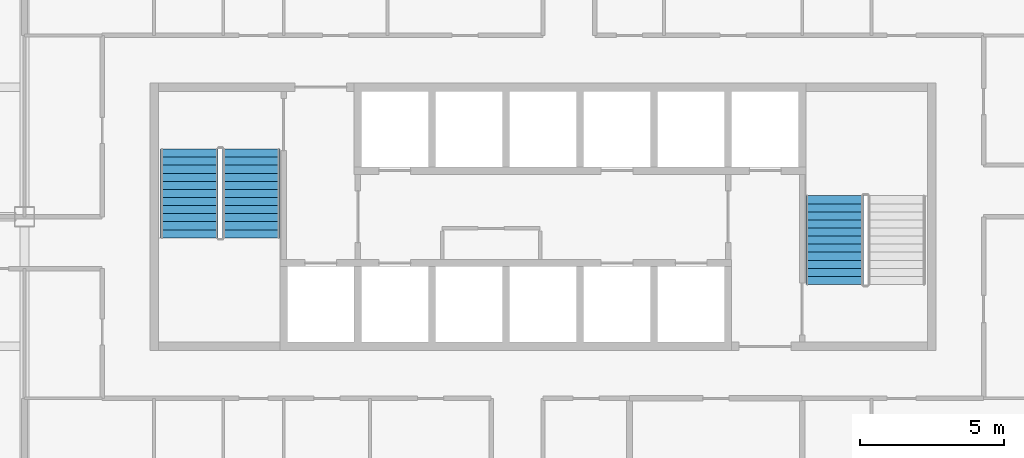
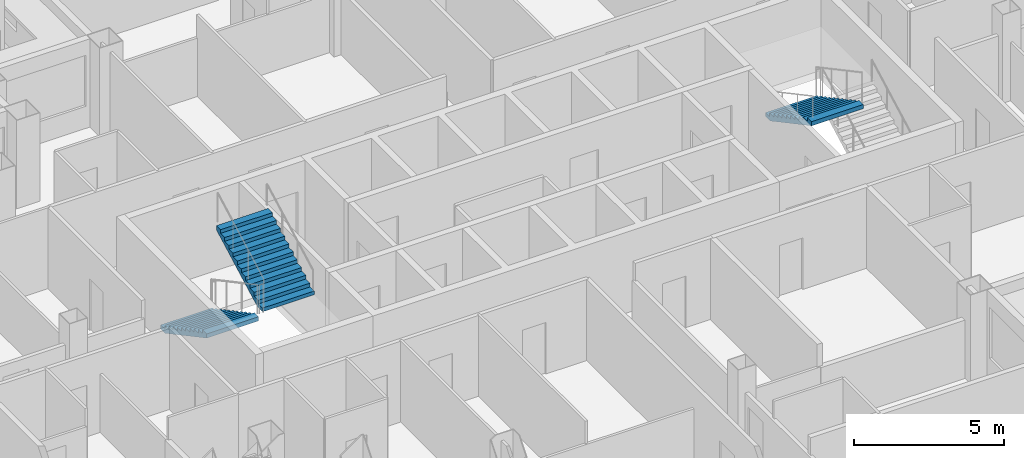
# One storey, part 11 of 21: 3 stair flights, 2 elements without a shape of their own.
"""IFC4 building model written with IfcOpenShell, lengths in metres."""

from ifc_helpers import new_model, si_unit, direction, frame, origin, place, context, subcontext, project, spatial, polygons, material, type_object, element, aggregate, save


model = new_model("IFC4")

# Units and contexts
model_context = context("Model", 3, precision=1e-05, world=origin(), true_north=direction((0.0, 1.0)))
body_context = subcontext(model_context, "Body", "Model", "MODEL_VIEW")
ifc_project = project(units=[si_unit("LENGTHUNIT", "METRE"), si_unit("AREAUNIT", "SQUARE_METRE"), si_unit("VOLUMEUNIT", "CUBIC_METRE"), si_unit("PLANEANGLEUNIT", "RADIAN"), si_unit("MASSUNIT", "GRAM", prefix="KILO")], contexts=[model_context])

# Site, building, storey
site_placement = place(None, origin())
site = spatial("IfcSite", under=ifc_project, at=site_placement, CompositionType="ELEMENT")
building_placement = place(site_placement, origin())
building = spatial("IfcBuilding", under=site, at=building_placement, Name="Caravel Reach Hotel and Residences", CompositionType="ELEMENT")
storey_placement = place(building_placement, frame((0.0, 0.0, 100.800048828125)))
storey = spatial("IfcBuildingStorey", under=building, at=storey_placement, Name="L24", CompositionType="ELEMENT", Elevation=100.800048828125)

# Stair, stair flights
ifc_material_1 = material(Name="Concrete C40", Category="concrete")
stair_type = type_object("IfcStairType", Name="Core stair", PredefinedType="HALF_TURN_STAIR", material=ifc_material_1)
stair_1_placement = place(storey_placement, origin())
stair_1 = element("IfcStair", 1, at=stair_1_placement, inside=storey, type_object=stair_type, Name="L24 Exit stair A", PredefinedType="HALF_TURN_STAIR")
ifc_material_2 = material(Name="Concrete C40", Category="concrete")
stair_flight_type = type_object("IfcStairFlightType", Name="Core stair flight", PredefinedType="STRAIGHT", material=ifc_material_2)
stair_flight_1_placement = place(storey_placement, frame((19.22509765625, 29.35009765625, 0.0), z_axis=(0.0, 0.0, 1.0), x_axis=(0.0, -1.0, 0.0)))
stair_flight_1 = element("IfcStairFlight", 2, at=stair_flight_1_placement, type_object=stair_flight_type, Name="ST-A flight 1", NumberOfRisers=12, NumberOfTreads=11, PredefinedType="STRAIGHT", RiserHeight=0.15, TreadLength=0.28, context=body_context, shape_type="Tessellation", body=[
    polygons([(0.3174408016601862, 1.0, 0.0), (0.3174408016601862, 0.6666666666666667, 0.0), (0.3174408016601862, 0.33333333333333337, 0.0), (0.3174408016601862, 0.0, 0.0), (0.3174408016601862, -0.33333333333333326, 0.0), (0.3174408016601862, -0.6666666666666667, 0.0), (0.3174408016601862, -1.0, 0.0), (3.081, 1.0, 1.479942427682043), (3.081, 0.6666666666666667, 1.479942427682043), (3.081, 0.33333333333333337, 1.479942427682043), (3.081, 0.0, 1.479942427682043), (3.081, -0.33333333333333326, 1.479942427682043), (3.081, -0.6666666666666667, 1.479942427682043), (3.081, -1.0, 1.479942427682043), (3.081, 1.0, 1.65), (3.081, 0.6666666666666667, 1.65), (3.081, 0.33333333333333337, 1.65), (3.081, 0.0, 1.65), (3.081, -0.33333333333333326, 1.65), (3.081, -0.6666666666666667, 1.65), (3.081, -1.0, 1.65), (2.8000000000000003, 1.0, 1.65), (2.8000000000000003, 0.6666666666666667, 1.65), (2.8000000000000003, 0.33333333333333337, 1.65), (2.8000000000000003, 0.0, 1.65), (2.8000000000000003, -0.33333333333333326, 1.65), (2.8000000000000003, -0.6666666666666667, 1.65), (2.8000000000000003, -1.0, 1.65), (2.8000000000000003, 1.0, 1.5), (2.8000000000000003, 0.6666666666666667, 1.5), (2.8000000000000003, 0.33333333333333337, 1.5), (2.8000000000000003, 0.0, 1.5), (2.8000000000000003, -0.33333333333333326, 1.5), (2.8000000000000003, -0.6666666666666667, 1.5), (2.8000000000000003, -1.0, 1.5), (2.5200000000000005, 1.0, 1.5), (2.5200000000000005, 0.6666666666666667, 1.5), (2.5200000000000005, 0.33333333333333337, 1.5), (2.5200000000000005, 0.0, 1.5), (2.5200000000000005, -0.33333333333333326, 1.5), (2.5200000000000005, -0.6666666666666667, 1.5), (2.5200000000000005, -1.0, 1.5), (2.5200000000000005, 1.0, 1.3499999999999999), (2.5200000000000005, 0.6666666666666667, 1.3499999999999999), (2.5200000000000005, 0.33333333333333337, 1.3499999999999999), (2.5200000000000005, 0.0, 1.3499999999999999), (2.5200000000000005, -0.33333333333333326, 1.3499999999999999), (2.5200000000000005, -0.6666666666666667, 1.3499999999999999), (2.5200000000000005, -1.0, 1.3499999999999999), (2.24, 1.0, 1.3499999999999999), (2.24, 0.6666666666666667, 1.3499999999999999), (2.24, 0.33333333333333337, 1.3499999999999999), (2.24, 0.0, 1.3499999999999999), (2.24, -0.33333333333333326, 1.3499999999999999), (2.24, -0.6666666666666667, 1.3499999999999999), (2.24, -1.0, 1.3499999999999999), (2.24, 1.0, 1.2), (2.24, 0.6666666666666667, 1.2), (2.24, 0.33333333333333337, 1.2), (2.24, 0.0, 1.2), (2.24, -0.33333333333333326, 1.2), (2.24, -0.6666666666666667, 1.2), (2.24, -1.0, 1.2), (1.9600000000000002, 1.0, 1.2), (1.9600000000000002, 0.6666666666666667, 1.2), (1.9600000000000002, 0.33333333333333337, 1.2), (1.9600000000000002, 0.0, 1.2), (1.9600000000000002, -0.33333333333333326, 1.2), (1.9600000000000002, -0.6666666666666667, 1.2), (1.9600000000000002, -1.0, 1.2), (1.9600000000000002, 1.0, 1.05), (1.9600000000000002, 0.6666666666666667, 1.05), (1.9600000000000002, 0.33333333333333337, 1.05), (1.9600000000000002, 0.0, 1.05), (1.9600000000000002, -0.33333333333333326, 1.05), (1.9600000000000002, -0.6666666666666667, 1.05), (1.9600000000000002, -1.0, 1.05), (1.6800000000000002, 1.0, 1.05), (1.6800000000000002, 0.6666666666666667, 1.05), (1.6800000000000002, 0.33333333333333337, 1.05), (1.6800000000000002, 0.0, 1.05), (1.6800000000000002, -0.33333333333333326, 1.05), (1.6800000000000002, -0.6666666666666667, 1.05), (1.6800000000000002, -1.0, 1.05), (1.6800000000000002, 1.0, 0.8999999999999999), (1.6800000000000002, 0.6666666666666667, 0.8999999999999999), (1.6800000000000002, 0.33333333333333337, 0.8999999999999999), (1.6800000000000002, 0.0, 0.8999999999999999), (1.6800000000000002, -0.33333333333333326, 0.8999999999999999), (1.6800000000000002, -0.6666666666666667, 0.8999999999999999), (1.6800000000000002, -1.0, 0.8999999999999999), (1.4000000000000001, 1.0, 0.8999999999999999), (1.4000000000000001, 0.6666666666666667, 0.8999999999999999), (1.4000000000000001, 0.33333333333333337, 0.8999999999999999), (1.4000000000000001, 0.0, 0.8999999999999999), (1.4000000000000001, -0.33333333333333326, 0.8999999999999999), (1.4000000000000001, -0.6666666666666667, 0.8999999999999999), (1.4000000000000001, -1.0, 0.8999999999999999), (1.4000000000000001, 1.0, 0.75), (1.4000000000000001, 0.6666666666666667, 0.75), (1.4000000000000001, 0.33333333333333337, 0.75), (1.4000000000000001, 0.0, 0.75), (1.4000000000000001, -0.33333333333333326, 0.75), (1.4000000000000001, -0.6666666666666667, 0.75), (1.4000000000000001, -1.0, 0.75), (1.12, 1.0, 0.75), (1.12, 0.6666666666666667, 0.75), (1.12, 0.33333333333333337, 0.75), (1.12, 0.0, 0.75), (1.12, -0.33333333333333326, 0.75), (1.12, -0.6666666666666667, 0.75), (1.12, -1.0, 0.75), (1.12, 1.0, 0.6), (1.12, 0.6666666666666667, 0.6), (1.12, 0.33333333333333337, 0.6), (1.12, 0.0, 0.6), (1.12, -0.33333333333333326, 0.6), (1.12, -0.6666666666666667, 0.6), (1.12, -1.0, 0.6), (0.8400000000000001, 1.0, 0.6), (0.8400000000000001, 0.6666666666666667, 0.6), (0.8400000000000001, 0.33333333333333337, 0.6), (0.8400000000000001, 0.0, 0.6), (0.8400000000000001, -0.33333333333333326, 0.6), (0.8400000000000001, -0.6666666666666667, 0.6), (0.8400000000000001, -1.0, 0.6), (0.8400000000000001, 1.0, 0.44999999999999996), (0.8400000000000001, 0.6666666666666667, 0.44999999999999996), (0.8400000000000001, 0.33333333333333337, 0.44999999999999996), (0.8400000000000001, 0.0, 0.44999999999999996), (0.8400000000000001, -0.33333333333333326, 0.44999999999999996), (0.8400000000000001, -0.6666666666666667, 0.44999999999999996), (0.8400000000000001, -1.0, 0.44999999999999996), (0.56, 1.0, 0.44999999999999996), (0.56, 0.6666666666666667, 0.44999999999999996), (0.56, 0.33333333333333337, 0.44999999999999996), (0.56, 0.0, 0.44999999999999996), (0.56, -0.33333333333333326, 0.44999999999999996), (0.56, -0.6666666666666667, 0.44999999999999996), (0.56, -1.0, 0.44999999999999996), (0.56, 1.0, 0.3), (0.56, 0.6666666666666667, 0.3), (0.56, 0.33333333333333337, 0.3), (0.56, 0.0, 0.3), (0.56, -0.33333333333333326, 0.3), (0.56, -0.6666666666666667, 0.3), (0.56, -1.0, 0.3), (0.28, 1.0, 0.3), (0.28, 0.6666666666666667, 0.3), (0.28, 0.33333333333333337, 0.3), (0.28, 0.0, 0.3), (0.28, -0.33333333333333326, 0.3), (0.28, -0.6666666666666667, 0.3), (0.28, -1.0, 0.3), (0.28, 1.0, 0.15), (0.28, 0.6666666666666667, 0.15), (0.28, 0.33333333333333337, 0.15), (0.28, 0.0, 0.15), (0.28, -0.33333333333333326, 0.15), (0.28, -0.6666666666666667, 0.15), (0.28, -1.0, 0.15), (-0.001, 1.0, 0.15), (-0.001, 0.6666666666666667, 0.15), (-0.001, 0.33333333333333337, 0.15), (-0.001, 0.0, 0.15), (-0.001, -0.33333333333333326, 0.15), (-0.001, -0.6666666666666667, 0.15), (-0.001, -1.0, 0.15), (-0.001, 1.0, 0.0), (-0.001, 0.6666666666666667, 0.0), (-0.001, 0.33333333333333337, 0.0), (-0.001, 0.0, 0.0), (-0.001, -0.33333333333333326, 0.0), (-0.001, -0.6666666666666667, 0.0), (-0.001, -1.0, 0.0)], [[[169, 162, 155, 148, 141, 134, 127, 120, 113, 106, 99, 92, 85, 78, 71, 64, 57, 50, 43, 36, 29, 22, 15, 8, 1]], [[7, 14, 21, 28, 35, 42, 49, 56, 63, 70, 77, 84, 91, 98, 105, 112, 119, 126, 133, 140, 147, 154, 161, 168, 175]], [[1, 8, 9, 2]], [[2, 9, 10, 3]], [[3, 10, 11, 4]], [[4, 11, 12, 5]], [[5, 12, 13, 6]], [[6, 13, 14, 7]], [[8, 15, 16, 9]], [[9, 16, 17, 10]], [[10, 17, 18, 11]], [[11, 18, 19, 12]], [[12, 19, 20, 13]], [[13, 20, 21, 14]], [[15, 22, 23, 16]], [[16, 23, 24, 17]], [[17, 24, 25, 18]], [[18, 25, 26, 19]], [[19, 26, 27, 20]], [[20, 27, 28, 21]], [[22, 29, 30, 23]], [[23, 30, 31, 24]], [[24, 31, 32, 25]], [[25, 32, 33, 26]], [[26, 33, 34, 27]], [[27, 34, 35, 28]], [[29, 36, 37, 30]], [[30, 37, 38, 31]], [[31, 38, 39, 32]], [[32, 39, 40, 33]], [[33, 40, 41, 34]], [[34, 41, 42, 35]], [[36, 43, 44, 37]], [[37, 44, 45, 38]], [[38, 45, 46, 39]], [[39, 46, 47, 40]], [[40, 47, 48, 41]], [[41, 48, 49, 42]], [[43, 50, 51, 44]], [[44, 51, 52, 45]], [[45, 52, 53, 46]], [[46, 53, 54, 47]], [[47, 54, 55, 48]], [[48, 55, 56, 49]], [[50, 57, 58, 51]], [[51, 58, 59, 52]], [[52, 59, 60, 53]], [[53, 60, 61, 54]], [[54, 61, 62, 55]], [[55, 62, 63, 56]], [[57, 64, 65, 58]], [[58, 65, 66, 59]], [[59, 66, 67, 60]], [[60, 67, 68, 61]], [[61, 68, 69, 62]], [[62, 69, 70, 63]], [[64, 71, 72, 65]], [[65, 72, 73, 66]], [[66, 73, 74, 67]], [[67, 74, 75, 68]], [[68, 75, 76, 69]], [[69, 76, 77, 70]], [[71, 78, 79, 72]], [[72, 79, 80, 73]], [[73, 80, 81, 74]], [[74, 81, 82, 75]], [[75, 82, 83, 76]], [[76, 83, 84, 77]], [[78, 85, 86, 79]], [[79, 86, 87, 80]], [[80, 87, 88, 81]], [[81, 88, 89, 82]], [[82, 89, 90, 83]], [[83, 90, 91, 84]], [[85, 92, 93, 86]], [[86, 93, 94, 87]], [[87, 94, 95, 88]], [[88, 95, 96, 89]], [[89, 96, 97, 90]], [[90, 97, 98, 91]], [[92, 99, 100, 93]], [[93, 100, 101, 94]], [[94, 101, 102, 95]], [[95, 102, 103, 96]], [[96, 103, 104, 97]], [[97, 104, 105, 98]], [[99, 106, 107, 100]], [[100, 107, 108, 101]], [[101, 108, 109, 102]], [[102, 109, 110, 103]], [[103, 110, 111, 104]], [[104, 111, 112, 105]], [[106, 113, 114, 107]], [[107, 114, 115, 108]], [[108, 115, 116, 109]], [[109, 116, 117, 110]], [[110, 117, 118, 111]], [[111, 118, 119, 112]], [[113, 120, 121, 114]], [[114, 121, 122, 115]], [[115, 122, 123, 116]], [[116, 123, 124, 117]], [[117, 124, 125, 118]], [[118, 125, 126, 119]], [[120, 127, 128, 121]], [[121, 128, 129, 122]], [[122, 129, 130, 123]], [[123, 130, 131, 124]], [[124, 131, 132, 125]], [[125, 132, 133, 126]], [[127, 134, 135, 128]], [[128, 135, 136, 129]], [[129, 136, 137, 130]], [[130, 137, 138, 131]], [[131, 138, 139, 132]], [[132, 139, 140, 133]], [[134, 141, 142, 135]], [[135, 142, 143, 136]], [[136, 143, 144, 137]], [[137, 144, 145, 138]], [[138, 145, 146, 139]], [[139, 146, 147, 140]], [[141, 148, 149, 142]], [[142, 149, 150, 143]], [[143, 150, 151, 144]], [[144, 151, 152, 145]], [[145, 152, 153, 146]], [[146, 153, 154, 147]], [[148, 155, 156, 149]], [[149, 156, 157, 150]], [[150, 157, 158, 151]], [[151, 158, 159, 152]], [[152, 159, 160, 153]], [[153, 160, 161, 154]], [[155, 162, 163, 156]], [[156, 163, 164, 157]], [[157, 164, 165, 158]], [[158, 165, 166, 159]], [[159, 166, 167, 160]], [[160, 167, 168, 161]], [[162, 169, 170, 163]], [[163, 170, 171, 164]], [[164, 171, 172, 165]], [[165, 172, 173, 166]], [[166, 173, 174, 167]], [[167, 174, 175, 168]], [[169, 1, 2, 170]], [[170, 2, 3, 171]], [[171, 3, 4, 172]], [[172, 4, 5, 173]], [[173, 5, 6, 174]], [[174, 6, 7, 175]]], closed=True),
])
stair_flight_2_placement = place(storey_placement, frame((21.375, 26.27001953125, 1.800048828125), z_axis=(0.0, 0.0, 1.0), x_axis=(0.0, 1.0, 0.0)))
stair_flight_2 = element("IfcStairFlight", 3, at=stair_flight_2_placement, type_object=stair_flight_type, Name="ST-A flight 2", NumberOfRisers=12, NumberOfTreads=11, PredefinedType="STRAIGHT", RiserHeight=0.15, TreadLength=0.28, context=body_context, shape_type="Tessellation", body=[
    polygons([(0.3174408016601862, 1.0, 0.0), (0.3174408016601862, 0.6666666666666667, 0.0), (0.3174408016601862, 0.33333333333333337, 0.0), (0.3174408016601862, 0.0, 0.0), (0.3174408016601862, -0.33333333333333326, 0.0), (0.3174408016601862, -0.6666666666666667, 0.0), (0.3174408016601862, -1.0, 0.0), (3.081, 1.0, 1.479942427682043), (3.081, 0.6666666666666667, 1.479942427682043), (3.081, 0.33333333333333337, 1.479942427682043), (3.081, 0.0, 1.479942427682043), (3.081, -0.33333333333333326, 1.479942427682043), (3.081, -0.6666666666666667, 1.479942427682043), (3.081, -1.0, 1.479942427682043), (3.081, 1.0, 1.65), (3.081, 0.6666666666666667, 1.65), (3.081, 0.33333333333333337, 1.65), (3.081, 0.0, 1.65), (3.081, -0.33333333333333326, 1.65), (3.081, -0.6666666666666667, 1.65), (3.081, -1.0, 1.65), (2.8000000000000003, 1.0, 1.65), (2.8000000000000003, 0.6666666666666667, 1.65), (2.8000000000000003, 0.33333333333333337, 1.65), (2.8000000000000003, 0.0, 1.65), (2.8000000000000003, -0.33333333333333326, 1.65), (2.8000000000000003, -0.6666666666666667, 1.65), (2.8000000000000003, -1.0, 1.65), (2.8000000000000003, 1.0, 1.5), (2.8000000000000003, 0.6666666666666667, 1.5), (2.8000000000000003, 0.33333333333333337, 1.5), (2.8000000000000003, 0.0, 1.5), (2.8000000000000003, -0.33333333333333326, 1.5), (2.8000000000000003, -0.6666666666666667, 1.5), (2.8000000000000003, -1.0, 1.5), (2.5200000000000005, 1.0, 1.5), (2.5200000000000005, 0.6666666666666667, 1.5), (2.5200000000000005, 0.33333333333333337, 1.5), (2.5200000000000005, 0.0, 1.5), (2.5200000000000005, -0.33333333333333326, 1.5), (2.5200000000000005, -0.6666666666666667, 1.5), (2.5200000000000005, -1.0, 1.5), (2.5200000000000005, 1.0, 1.3499999999999999), (2.5200000000000005, 0.6666666666666667, 1.3499999999999999), (2.5200000000000005, 0.33333333333333337, 1.3499999999999999), (2.5200000000000005, 0.0, 1.3499999999999999), (2.5200000000000005, -0.33333333333333326, 1.3499999999999999), (2.5200000000000005, -0.6666666666666667, 1.3499999999999999), (2.5200000000000005, -1.0, 1.3499999999999999), (2.24, 1.0, 1.3499999999999999), (2.24, 0.6666666666666667, 1.3499999999999999), (2.24, 0.33333333333333337, 1.3499999999999999), (2.24, 0.0, 1.3499999999999999), (2.24, -0.33333333333333326, 1.3499999999999999), (2.24, -0.6666666666666667, 1.3499999999999999), (2.24, -1.0, 1.3499999999999999), (2.24, 1.0, 1.2), (2.24, 0.6666666666666667, 1.2), (2.24, 0.33333333333333337, 1.2), (2.24, 0.0, 1.2), (2.24, -0.33333333333333326, 1.2), (2.24, -0.6666666666666667, 1.2), (2.24, -1.0, 1.2), (1.9600000000000002, 1.0, 1.2), (1.9600000000000002, 0.6666666666666667, 1.2), (1.9600000000000002, 0.33333333333333337, 1.2), (1.9600000000000002, 0.0, 1.2), (1.9600000000000002, -0.33333333333333326, 1.2), (1.9600000000000002, -0.6666666666666667, 1.2), (1.9600000000000002, -1.0, 1.2), (1.9600000000000002, 1.0, 1.05), (1.9600000000000002, 0.6666666666666667, 1.05), (1.9600000000000002, 0.33333333333333337, 1.05), (1.9600000000000002, 0.0, 1.05), (1.9600000000000002, -0.33333333333333326, 1.05), (1.9600000000000002, -0.6666666666666667, 1.05), (1.9600000000000002, -1.0, 1.05), (1.6800000000000002, 1.0, 1.05), (1.6800000000000002, 0.6666666666666667, 1.05), (1.6800000000000002, 0.33333333333333337, 1.05), (1.6800000000000002, 0.0, 1.05), (1.6800000000000002, -0.33333333333333326, 1.05), (1.6800000000000002, -0.6666666666666667, 1.05), (1.6800000000000002, -1.0, 1.05), (1.6800000000000002, 1.0, 0.8999999999999999), (1.6800000000000002, 0.6666666666666667, 0.8999999999999999), (1.6800000000000002, 0.33333333333333337, 0.8999999999999999), (1.6800000000000002, 0.0, 0.8999999999999999), (1.6800000000000002, -0.33333333333333326, 0.8999999999999999), (1.6800000000000002, -0.6666666666666667, 0.8999999999999999), (1.6800000000000002, -1.0, 0.8999999999999999), (1.4000000000000001, 1.0, 0.8999999999999999), (1.4000000000000001, 0.6666666666666667, 0.8999999999999999), (1.4000000000000001, 0.33333333333333337, 0.8999999999999999), (1.4000000000000001, 0.0, 0.8999999999999999), (1.4000000000000001, -0.33333333333333326, 0.8999999999999999), (1.4000000000000001, -0.6666666666666667, 0.8999999999999999), (1.4000000000000001, -1.0, 0.8999999999999999), (1.4000000000000001, 1.0, 0.75), (1.4000000000000001, 0.6666666666666667, 0.75), (1.4000000000000001, 0.33333333333333337, 0.75), (1.4000000000000001, 0.0, 0.75), (1.4000000000000001, -0.33333333333333326, 0.75), (1.4000000000000001, -0.6666666666666667, 0.75), (1.4000000000000001, -1.0, 0.75), (1.12, 1.0, 0.75), (1.12, 0.6666666666666667, 0.75), (1.12, 0.33333333333333337, 0.75), (1.12, 0.0, 0.75), (1.12, -0.33333333333333326, 0.75), (1.12, -0.6666666666666667, 0.75), (1.12, -1.0, 0.75), (1.12, 1.0, 0.6), (1.12, 0.6666666666666667, 0.6), (1.12, 0.33333333333333337, 0.6), (1.12, 0.0, 0.6), (1.12, -0.33333333333333326, 0.6), (1.12, -0.6666666666666667, 0.6), (1.12, -1.0, 0.6), (0.8400000000000001, 1.0, 0.6), (0.8400000000000001, 0.6666666666666667, 0.6), (0.8400000000000001, 0.33333333333333337, 0.6), (0.8400000000000001, 0.0, 0.6), (0.8400000000000001, -0.33333333333333326, 0.6), (0.8400000000000001, -0.6666666666666667, 0.6), (0.8400000000000001, -1.0, 0.6), (0.8400000000000001, 1.0, 0.44999999999999996), (0.8400000000000001, 0.6666666666666667, 0.44999999999999996), (0.8400000000000001, 0.33333333333333337, 0.44999999999999996), (0.8400000000000001, 0.0, 0.44999999999999996), (0.8400000000000001, -0.33333333333333326, 0.44999999999999996), (0.8400000000000001, -0.6666666666666667, 0.44999999999999996), (0.8400000000000001, -1.0, 0.44999999999999996), (0.56, 1.0, 0.44999999999999996), (0.56, 0.6666666666666667, 0.44999999999999996), (0.56, 0.33333333333333337, 0.44999999999999996), (0.56, 0.0, 0.44999999999999996), (0.56, -0.33333333333333326, 0.44999999999999996), (0.56, -0.6666666666666667, 0.44999999999999996), (0.56, -1.0, 0.44999999999999996), (0.56, 1.0, 0.3), (0.56, 0.6666666666666667, 0.3), (0.56, 0.33333333333333337, 0.3), (0.56, 0.0, 0.3), (0.56, -0.33333333333333326, 0.3), (0.56, -0.6666666666666667, 0.3), (0.56, -1.0, 0.3), (0.28, 1.0, 0.3), (0.28, 0.6666666666666667, 0.3), (0.28, 0.33333333333333337, 0.3), (0.28, 0.0, 0.3), (0.28, -0.33333333333333326, 0.3), (0.28, -0.6666666666666667, 0.3), (0.28, -1.0, 0.3), (0.28, 1.0, 0.15), (0.28, 0.6666666666666667, 0.15), (0.28, 0.33333333333333337, 0.15), (0.28, 0.0, 0.15), (0.28, -0.33333333333333326, 0.15), (0.28, -0.6666666666666667, 0.15), (0.28, -1.0, 0.15), (-0.001, 1.0, 0.15), (-0.001, 0.6666666666666667, 0.15), (-0.001, 0.33333333333333337, 0.15), (-0.001, 0.0, 0.15), (-0.001, -0.33333333333333326, 0.15), (-0.001, -0.6666666666666667, 0.15), (-0.001, -1.0, 0.15), (-0.001, 1.0, 0.0), (-0.001, 0.6666666666666667, 0.0), (-0.001, 0.33333333333333337, 0.0), (-0.001, 0.0, 0.0), (-0.001, -0.33333333333333326, 0.0), (-0.001, -0.6666666666666667, 0.0), (-0.001, -1.0, 0.0)], [[[169, 162, 155, 148, 141, 134, 127, 120, 113, 106, 99, 92, 85, 78, 71, 64, 57, 50, 43, 36, 29, 22, 15, 8, 1]], [[7, 14, 21, 28, 35, 42, 49, 56, 63, 70, 77, 84, 91, 98, 105, 112, 119, 126, 133, 140, 147, 154, 161, 168, 175]], [[1, 8, 9, 2]], [[2, 9, 10, 3]], [[3, 10, 11, 4]], [[4, 11, 12, 5]], [[5, 12, 13, 6]], [[6, 13, 14, 7]], [[8, 15, 16, 9]], [[9, 16, 17, 10]], [[10, 17, 18, 11]], [[11, 18, 19, 12]], [[12, 19, 20, 13]], [[13, 20, 21, 14]], [[15, 22, 23, 16]], [[16, 23, 24, 17]], [[17, 24, 25, 18]], [[18, 25, 26, 19]], [[19, 26, 27, 20]], [[20, 27, 28, 21]], [[22, 29, 30, 23]], [[23, 30, 31, 24]], [[24, 31, 32, 25]], [[25, 32, 33, 26]], [[26, 33, 34, 27]], [[27, 34, 35, 28]], [[29, 36, 37, 30]], [[30, 37, 38, 31]], [[31, 38, 39, 32]], [[32, 39, 40, 33]], [[33, 40, 41, 34]], [[34, 41, 42, 35]], [[36, 43, 44, 37]], [[37, 44, 45, 38]], [[38, 45, 46, 39]], [[39, 46, 47, 40]], [[40, 47, 48, 41]], [[41, 48, 49, 42]], [[43, 50, 51, 44]], [[44, 51, 52, 45]], [[45, 52, 53, 46]], [[46, 53, 54, 47]], [[47, 54, 55, 48]], [[48, 55, 56, 49]], [[50, 57, 58, 51]], [[51, 58, 59, 52]], [[52, 59, 60, 53]], [[53, 60, 61, 54]], [[54, 61, 62, 55]], [[55, 62, 63, 56]], [[57, 64, 65, 58]], [[58, 65, 66, 59]], [[59, 66, 67, 60]], [[60, 67, 68, 61]], [[61, 68, 69, 62]], [[62, 69, 70, 63]], [[64, 71, 72, 65]], [[65, 72, 73, 66]], [[66, 73, 74, 67]], [[67, 74, 75, 68]], [[68, 75, 76, 69]], [[69, 76, 77, 70]], [[71, 78, 79, 72]], [[72, 79, 80, 73]], [[73, 80, 81, 74]], [[74, 81, 82, 75]], [[75, 82, 83, 76]], [[76, 83, 84, 77]], [[78, 85, 86, 79]], [[79, 86, 87, 80]], [[80, 87, 88, 81]], [[81, 88, 89, 82]], [[82, 89, 90, 83]], [[83, 90, 91, 84]], [[85, 92, 93, 86]], [[86, 93, 94, 87]], [[87, 94, 95, 88]], [[88, 95, 96, 89]], [[89, 96, 97, 90]], [[90, 97, 98, 91]], [[92, 99, 100, 93]], [[93, 100, 101, 94]], [[94, 101, 102, 95]], [[95, 102, 103, 96]], [[96, 103, 104, 97]], [[97, 104, 105, 98]], [[99, 106, 107, 100]], [[100, 107, 108, 101]], [[101, 108, 109, 102]], [[102, 109, 110, 103]], [[103, 110, 111, 104]], [[104, 111, 112, 105]], [[106, 113, 114, 107]], [[107, 114, 115, 108]], [[108, 115, 116, 109]], [[109, 116, 117, 110]], [[110, 117, 118, 111]], [[111, 118, 119, 112]], [[113, 120, 121, 114]], [[114, 121, 122, 115]], [[115, 122, 123, 116]], [[116, 123, 124, 117]], [[117, 124, 125, 118]], [[118, 125, 126, 119]], [[120, 127, 128, 121]], [[121, 128, 129, 122]], [[122, 129, 130, 123]], [[123, 130, 131, 124]], [[124, 131, 132, 125]], [[125, 132, 133, 126]], [[127, 134, 135, 128]], [[128, 135, 136, 129]], [[129, 136, 137, 130]], [[130, 137, 138, 131]], [[131, 138, 139, 132]], [[132, 139, 140, 133]], [[134, 141, 142, 135]], [[135, 142, 143, 136]], [[136, 143, 144, 137]], [[137, 144, 145, 138]], [[138, 145, 146, 139]], [[139, 146, 147, 140]], [[141, 148, 149, 142]], [[142, 149, 150, 143]], [[143, 150, 151, 144]], [[144, 151, 152, 145]], [[145, 152, 153, 146]], [[146, 153, 154, 147]], [[148, 155, 156, 149]], [[149, 156, 157, 150]], [[150, 157, 158, 151]], [[151, 158, 159, 152]], [[152, 159, 160, 153]], [[153, 160, 161, 154]], [[155, 162, 163, 156]], [[156, 163, 164, 157]], [[157, 164, 165, 158]], [[158, 165, 166, 159]], [[159, 166, 167, 160]], [[160, 167, 168, 161]], [[162, 169, 170, 163]], [[163, 170, 171, 164]], [[164, 171, 172, 165]], [[165, 172, 173, 166]], [[166, 173, 174, 167]], [[167, 174, 175, 168]], [[169, 1, 2, 170]], [[170, 2, 3, 171]], [[171, 3, 4, 172]], [[172, 4, 5, 173]], [[173, 5, 6, 174]], [[174, 6, 7, 175]]], closed=True),
])
aggregate(stair_1, [stair_flight_1, stair_flight_2])

# Stair, stair flight
stair_2_placement = place(storey_placement, origin())
stair_2 = element("IfcStair", 4, at=stair_2_placement, inside=storey, type_object=stair_type, Name="L24 Exit stair B", PredefinedType="HALF_TURN_STAIR")
stair_flight_3_placement = place(storey_placement, frame((41.625, 27.72998046875, 1.800048828125), z_axis=(0.0, 0.0, 1.0), x_axis=(0.0, -1.0, 0.0)))
stair_flight_3 = element("IfcStairFlight", 5, at=stair_flight_3_placement, type_object=stair_flight_type, Name="ST-B flight 2", NumberOfRisers=12, NumberOfTreads=11, PredefinedType="STRAIGHT", RiserHeight=0.15, TreadLength=0.28, context=body_context, shape_type="Tessellation", body=[
    polygons([(0.3174408016601862, 1.0, 0.0), (0.3174408016601862, 0.6666666666666667, 0.0), (0.3174408016601862, 0.33333333333333337, 0.0), (0.3174408016601862, 0.0, 0.0), (0.3174408016601862, -0.33333333333333326, 0.0), (0.3174408016601862, -0.6666666666666667, 0.0), (0.3174408016601862, -1.0, 0.0), (3.081, 1.0, 1.479942427682043), (3.081, 0.6666666666666667, 1.479942427682043), (3.081, 0.33333333333333337, 1.479942427682043), (3.081, 0.0, 1.479942427682043), (3.081, -0.33333333333333326, 1.479942427682043), (3.081, -0.6666666666666667, 1.479942427682043), (3.081, -1.0, 1.479942427682043), (3.081, 1.0, 1.65), (3.081, 0.6666666666666667, 1.65), (3.081, 0.33333333333333337, 1.65), (3.081, 0.0, 1.65), (3.081, -0.33333333333333326, 1.65), (3.081, -0.6666666666666667, 1.65), (3.081, -1.0, 1.65), (2.8000000000000003, 1.0, 1.65), (2.8000000000000003, 0.6666666666666667, 1.65), (2.8000000000000003, 0.33333333333333337, 1.65), (2.8000000000000003, 0.0, 1.65), (2.8000000000000003, -0.33333333333333326, 1.65), (2.8000000000000003, -0.6666666666666667, 1.65), (2.8000000000000003, -1.0, 1.65), (2.8000000000000003, 1.0, 1.5), (2.8000000000000003, 0.6666666666666667, 1.5), (2.8000000000000003, 0.33333333333333337, 1.5), (2.8000000000000003, 0.0, 1.5), (2.8000000000000003, -0.33333333333333326, 1.5), (2.8000000000000003, -0.6666666666666667, 1.5), (2.8000000000000003, -1.0, 1.5), (2.5200000000000005, 1.0, 1.5), (2.5200000000000005, 0.6666666666666667, 1.5), (2.5200000000000005, 0.33333333333333337, 1.5), (2.5200000000000005, 0.0, 1.5), (2.5200000000000005, -0.33333333333333326, 1.5), (2.5200000000000005, -0.6666666666666667, 1.5), (2.5200000000000005, -1.0, 1.5), (2.5200000000000005, 1.0, 1.3499999999999999), (2.5200000000000005, 0.6666666666666667, 1.3499999999999999), (2.5200000000000005, 0.33333333333333337, 1.3499999999999999), (2.5200000000000005, 0.0, 1.3499999999999999), (2.5200000000000005, -0.33333333333333326, 1.3499999999999999), (2.5200000000000005, -0.6666666666666667, 1.3499999999999999), (2.5200000000000005, -1.0, 1.3499999999999999), (2.24, 1.0, 1.3499999999999999), (2.24, 0.6666666666666667, 1.3499999999999999), (2.24, 0.33333333333333337, 1.3499999999999999), (2.24, 0.0, 1.3499999999999999), (2.24, -0.33333333333333326, 1.3499999999999999), (2.24, -0.6666666666666667, 1.3499999999999999), (2.24, -1.0, 1.3499999999999999), (2.24, 1.0, 1.2), (2.24, 0.6666666666666667, 1.2), (2.24, 0.33333333333333337, 1.2), (2.24, 0.0, 1.2), (2.24, -0.33333333333333326, 1.2), (2.24, -0.6666666666666667, 1.2), (2.24, -1.0, 1.2), (1.9600000000000002, 1.0, 1.2), (1.9600000000000002, 0.6666666666666667, 1.2), (1.9600000000000002, 0.33333333333333337, 1.2), (1.9600000000000002, 0.0, 1.2), (1.9600000000000002, -0.33333333333333326, 1.2), (1.9600000000000002, -0.6666666666666667, 1.2), (1.9600000000000002, -1.0, 1.2), (1.9600000000000002, 1.0, 1.05), (1.9600000000000002, 0.6666666666666667, 1.05), (1.9600000000000002, 0.33333333333333337, 1.05), (1.9600000000000002, 0.0, 1.05), (1.9600000000000002, -0.33333333333333326, 1.05), (1.9600000000000002, -0.6666666666666667, 1.05), (1.9600000000000002, -1.0, 1.05), (1.6800000000000002, 1.0, 1.05), (1.6800000000000002, 0.6666666666666667, 1.05), (1.6800000000000002, 0.33333333333333337, 1.05), (1.6800000000000002, 0.0, 1.05), (1.6800000000000002, -0.33333333333333326, 1.05), (1.6800000000000002, -0.6666666666666667, 1.05), (1.6800000000000002, -1.0, 1.05), (1.6800000000000002, 1.0, 0.8999999999999999), (1.6800000000000002, 0.6666666666666667, 0.8999999999999999), (1.6800000000000002, 0.33333333333333337, 0.8999999999999999), (1.6800000000000002, 0.0, 0.8999999999999999), (1.6800000000000002, -0.33333333333333326, 0.8999999999999999), (1.6800000000000002, -0.6666666666666667, 0.8999999999999999), (1.6800000000000002, -1.0, 0.8999999999999999), (1.4000000000000001, 1.0, 0.8999999999999999), (1.4000000000000001, 0.6666666666666667, 0.8999999999999999), (1.4000000000000001, 0.33333333333333337, 0.8999999999999999), (1.4000000000000001, 0.0, 0.8999999999999999), (1.4000000000000001, -0.33333333333333326, 0.8999999999999999), (1.4000000000000001, -0.6666666666666667, 0.8999999999999999), (1.4000000000000001, -1.0, 0.8999999999999999), (1.4000000000000001, 1.0, 0.75), (1.4000000000000001, 0.6666666666666667, 0.75), (1.4000000000000001, 0.33333333333333337, 0.75), (1.4000000000000001, 0.0, 0.75), (1.4000000000000001, -0.33333333333333326, 0.75), (1.4000000000000001, -0.6666666666666667, 0.75), (1.4000000000000001, -1.0, 0.75), (1.12, 1.0, 0.75), (1.12, 0.6666666666666667, 0.75), (1.12, 0.33333333333333337, 0.75), (1.12, 0.0, 0.75), (1.12, -0.33333333333333326, 0.75), (1.12, -0.6666666666666667, 0.75), (1.12, -1.0, 0.75), (1.12, 1.0, 0.6), (1.12, 0.6666666666666667, 0.6), (1.12, 0.33333333333333337, 0.6), (1.12, 0.0, 0.6), (1.12, -0.33333333333333326, 0.6), (1.12, -0.6666666666666667, 0.6), (1.12, -1.0, 0.6), (0.8400000000000001, 1.0, 0.6), (0.8400000000000001, 0.6666666666666667, 0.6), (0.8400000000000001, 0.33333333333333337, 0.6), (0.8400000000000001, 0.0, 0.6), (0.8400000000000001, -0.33333333333333326, 0.6), (0.8400000000000001, -0.6666666666666667, 0.6), (0.8400000000000001, -1.0, 0.6), (0.8400000000000001, 1.0, 0.44999999999999996), (0.8400000000000001, 0.6666666666666667, 0.44999999999999996), (0.8400000000000001, 0.33333333333333337, 0.44999999999999996), (0.8400000000000001, 0.0, 0.44999999999999996), (0.8400000000000001, -0.33333333333333326, 0.44999999999999996), (0.8400000000000001, -0.6666666666666667, 0.44999999999999996), (0.8400000000000001, -1.0, 0.44999999999999996), (0.56, 1.0, 0.44999999999999996), (0.56, 0.6666666666666667, 0.44999999999999996), (0.56, 0.33333333333333337, 0.44999999999999996), (0.56, 0.0, 0.44999999999999996), (0.56, -0.33333333333333326, 0.44999999999999996), (0.56, -0.6666666666666667, 0.44999999999999996), (0.56, -1.0, 0.44999999999999996), (0.56, 1.0, 0.3), (0.56, 0.6666666666666667, 0.3), (0.56, 0.33333333333333337, 0.3), (0.56, 0.0, 0.3), (0.56, -0.33333333333333326, 0.3), (0.56, -0.6666666666666667, 0.3), (0.56, -1.0, 0.3), (0.28, 1.0, 0.3), (0.28, 0.6666666666666667, 0.3), (0.28, 0.33333333333333337, 0.3), (0.28, 0.0, 0.3), (0.28, -0.33333333333333326, 0.3), (0.28, -0.6666666666666667, 0.3), (0.28, -1.0, 0.3), (0.28, 1.0, 0.15), (0.28, 0.6666666666666667, 0.15), (0.28, 0.33333333333333337, 0.15), (0.28, 0.0, 0.15), (0.28, -0.33333333333333326, 0.15), (0.28, -0.6666666666666667, 0.15), (0.28, -1.0, 0.15), (-0.001, 1.0, 0.15), (-0.001, 0.6666666666666667, 0.15), (-0.001, 0.33333333333333337, 0.15), (-0.001, 0.0, 0.15), (-0.001, -0.33333333333333326, 0.15), (-0.001, -0.6666666666666667, 0.15), (-0.001, -1.0, 0.15), (-0.001, 1.0, 0.0), (-0.001, 0.6666666666666667, 0.0), (-0.001, 0.33333333333333337, 0.0), (-0.001, 0.0, 0.0), (-0.001, -0.33333333333333326, 0.0), (-0.001, -0.6666666666666667, 0.0), (-0.001, -1.0, 0.0)], [[[169, 162, 155, 148, 141, 134, 127, 120, 113, 106, 99, 92, 85, 78, 71, 64, 57, 50, 43, 36, 29, 22, 15, 8, 1]], [[7, 14, 21, 28, 35, 42, 49, 56, 63, 70, 77, 84, 91, 98, 105, 112, 119, 126, 133, 140, 147, 154, 161, 168, 175]], [[1, 8, 9, 2]], [[2, 9, 10, 3]], [[3, 10, 11, 4]], [[4, 11, 12, 5]], [[5, 12, 13, 6]], [[6, 13, 14, 7]], [[8, 15, 16, 9]], [[9, 16, 17, 10]], [[10, 17, 18, 11]], [[11, 18, 19, 12]], [[12, 19, 20, 13]], [[13, 20, 21, 14]], [[15, 22, 23, 16]], [[16, 23, 24, 17]], [[17, 24, 25, 18]], [[18, 25, 26, 19]], [[19, 26, 27, 20]], [[20, 27, 28, 21]], [[22, 29, 30, 23]], [[23, 30, 31, 24]], [[24, 31, 32, 25]], [[25, 32, 33, 26]], [[26, 33, 34, 27]], [[27, 34, 35, 28]], [[29, 36, 37, 30]], [[30, 37, 38, 31]], [[31, 38, 39, 32]], [[32, 39, 40, 33]], [[33, 40, 41, 34]], [[34, 41, 42, 35]], [[36, 43, 44, 37]], [[37, 44, 45, 38]], [[38, 45, 46, 39]], [[39, 46, 47, 40]], [[40, 47, 48, 41]], [[41, 48, 49, 42]], [[43, 50, 51, 44]], [[44, 51, 52, 45]], [[45, 52, 53, 46]], [[46, 53, 54, 47]], [[47, 54, 55, 48]], [[48, 55, 56, 49]], [[50, 57, 58, 51]], [[51, 58, 59, 52]], [[52, 59, 60, 53]], [[53, 60, 61, 54]], [[54, 61, 62, 55]], [[55, 62, 63, 56]], [[57, 64, 65, 58]], [[58, 65, 66, 59]], [[59, 66, 67, 60]], [[60, 67, 68, 61]], [[61, 68, 69, 62]], [[62, 69, 70, 63]], [[64, 71, 72, 65]], [[65, 72, 73, 66]], [[66, 73, 74, 67]], [[67, 74, 75, 68]], [[68, 75, 76, 69]], [[69, 76, 77, 70]], [[71, 78, 79, 72]], [[72, 79, 80, 73]], [[73, 80, 81, 74]], [[74, 81, 82, 75]], [[75, 82, 83, 76]], [[76, 83, 84, 77]], [[78, 85, 86, 79]], [[79, 86, 87, 80]], [[80, 87, 88, 81]], [[81, 88, 89, 82]], [[82, 89, 90, 83]], [[83, 90, 91, 84]], [[85, 92, 93, 86]], [[86, 93, 94, 87]], [[87, 94, 95, 88]], [[88, 95, 96, 89]], [[89, 96, 97, 90]], [[90, 97, 98, 91]], [[92, 99, 100, 93]], [[93, 100, 101, 94]], [[94, 101, 102, 95]], [[95, 102, 103, 96]], [[96, 103, 104, 97]], [[97, 104, 105, 98]], [[99, 106, 107, 100]], [[100, 107, 108, 101]], [[101, 108, 109, 102]], [[102, 109, 110, 103]], [[103, 110, 111, 104]], [[104, 111, 112, 105]], [[106, 113, 114, 107]], [[107, 114, 115, 108]], [[108, 115, 116, 109]], [[109, 116, 117, 110]], [[110, 117, 118, 111]], [[111, 118, 119, 112]], [[113, 120, 121, 114]], [[114, 121, 122, 115]], [[115, 122, 123, 116]], [[116, 123, 124, 117]], [[117, 124, 125, 118]], [[118, 125, 126, 119]], [[120, 127, 128, 121]], [[121, 128, 129, 122]], [[122, 129, 130, 123]], [[123, 130, 131, 124]], [[124, 131, 132, 125]], [[125, 132, 133, 126]], [[127, 134, 135, 128]], [[128, 135, 136, 129]], [[129, 136, 137, 130]], [[130, 137, 138, 131]], [[131, 138, 139, 132]], [[132, 139, 140, 133]], [[134, 141, 142, 135]], [[135, 142, 143, 136]], [[136, 143, 144, 137]], [[137, 144, 145, 138]], [[138, 145, 146, 139]], [[139, 146, 147, 140]], [[141, 148, 149, 142]], [[142, 149, 150, 143]], [[143, 150, 151, 144]], [[144, 151, 152, 145]], [[145, 152, 153, 146]], [[146, 153, 154, 147]], [[148, 155, 156, 149]], [[149, 156, 157, 150]], [[150, 157, 158, 151]], [[151, 158, 159, 152]], [[152, 159, 160, 153]], [[153, 160, 161, 154]], [[155, 162, 163, 156]], [[156, 163, 164, 157]], [[157, 164, 165, 158]], [[158, 165, 166, 159]], [[159, 166, 167, 160]], [[160, 167, 168, 161]], [[162, 169, 170, 163]], [[163, 170, 171, 164]], [[164, 171, 172, 165]], [[165, 172, 173, 166]], [[166, 173, 174, 167]], [[167, 174, 175, 168]], [[169, 1, 2, 170]], [[170, 2, 3, 171]], [[171, 3, 4, 172]], [[172, 4, 5, 173]], [[173, 5, 6, 174]], [[174, 6, 7, 175]]], closed=True),
])
aggregate(stair_2, [stair_flight_3])

save(model, "model.ifc")
